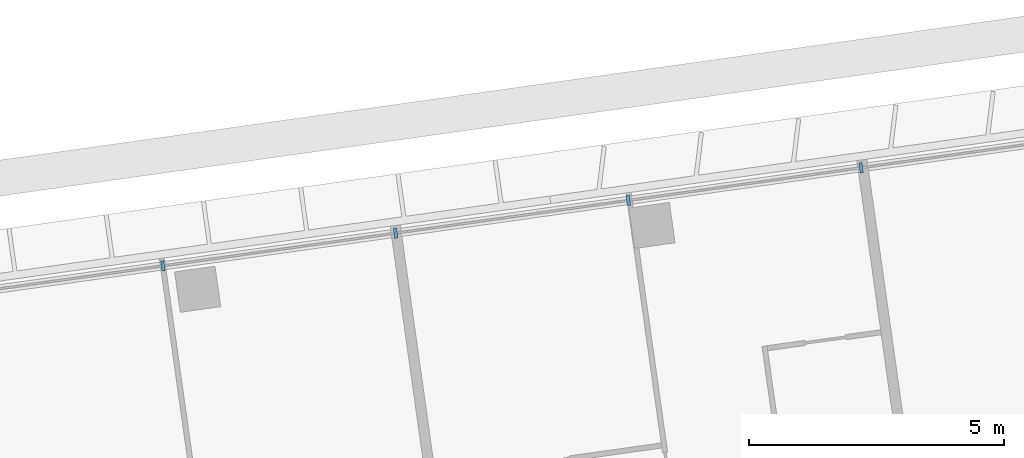
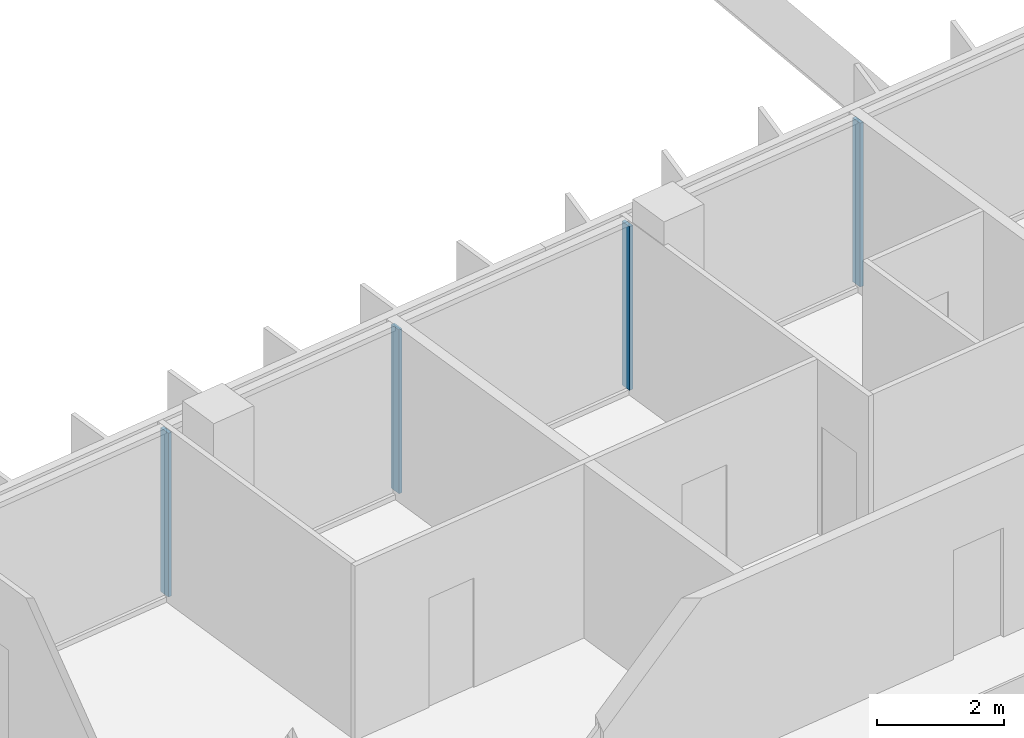
# One storey, part 20 of 38: 4 members, 1 element without a shape of its own.
"""IFC4 building model written with IfcOpenShell, lengths in metres."""

from ifc_helpers import new_model, si_unit, direction, frame, origin, origin_2d, place, context, subcontext, project, spatial, rectangle, extrude, material, material_profile, profile_set, type_object, element, aggregate, save


model = new_model("IFC4")

# Units and contexts
model_context = context("Model", 3, precision=1e-05, world=origin(), true_north=direction((0.0, 1.0)))
body_context = subcontext(model_context, "Body", "Model", "MODEL_VIEW")
ifc_project = project(units=[si_unit("LENGTHUNIT", "METRE"), si_unit("AREAUNIT", "SQUARE_METRE"), si_unit("VOLUMEUNIT", "CUBIC_METRE"), si_unit("PLANEANGLEUNIT", "RADIAN"), si_unit("MASSUNIT", "GRAM", prefix="KILO")], contexts=[model_context])

# Site, building, storey
site_placement = place(None, origin())
site = spatial("IfcSite", under=ifc_project, at=site_placement, CompositionType="ELEMENT")
building_placement = place(site_placement, origin())
building = spatial("IfcBuilding", under=site, at=building_placement, Name="Mirante Cascada Hotel Towers", CompositionType="ELEMENT")
storey_placement = place(building_placement, frame((0.0, 0.0, 184.0)))
storey = spatial("IfcBuildingStorey", under=building, at=storey_placement, Name="L43", CompositionType="ELEMENT", Elevation=184.0)

# Curtain wall, members
ifc_material_1 = material(Name="Aluminium mullion and transom frame with clear laminated glass", Category="aluminium")
curtain_wall_type = type_object("IfcCurtainWallType", Name="Ribbon curtain wall ECW1", PredefinedType="NOTDEFINED", material=ifc_material_1)
curtain_wall_placement = place(storey_placement, origin())
curtain_wall = element("IfcCurtainWall", 1, at=curtain_wall_placement, inside=storey, type_object=curtain_wall_type, Name="Front ribbon wall T2 L43", PredefinedType="NOTDEFINED")
ifc_material_2 = material(Name="Anodised aluminium extrusion", Category="aluminium")
ifc_material_profile = material_profile(ifc_material_2, rectangle(XDim=0.2, YDim=0.065, at=origin_2d()), Name="ECW1 MULLION 65x200")
ifc_profile_set = profile_set([ifc_material_profile], Name="Anodised aluminium extrusion")
member_type = type_object("IfcMemberType", Name="ECW1 mullion 65x200", PredefinedType="MULLION", material=ifc_profile_set)
member_1_placement = place(storey_placement, frame((67.2038, 22.2639, 0.1), z_axis=(0.0, 0.0, 1.0), x_axis=(0.1391731, -0.9902681, 0.0)))
member_1 = element("IfcMember", 2, at=member_1_placement, type_object=member_type, Name="ECW1 mullion 3", PredefinedType="MULLION", context=body_context, shape_type="SweptSolid", body=[
    extrude(rectangle(XDim=0.2, YDim=0.065, at=origin_2d()), origin(), (0.0, 0.0, 1.0), 3.15),
])
member_2_placement = place(storey_placement, frame((62.6391, 21.6224, 0.1), z_axis=(0.0, 0.0, 1.0), x_axis=(0.1391731, -0.9902681, 0.0)))
member_2 = element("IfcMember", 3, at=member_2_placement, type_object=member_type, Name="ECW1 mullion 4", PredefinedType="MULLION", context=body_context, shape_type="SweptSolid", body=[
    extrude(rectangle(XDim=0.2, YDim=0.065, at=origin_2d()), origin(), (0.0, 0.0, 1.0), 3.15),
])
member_3_placement = place(storey_placement, frame((58.0743, 20.9808, 0.1), z_axis=(0.0, 0.0, 1.0), x_axis=(0.1391731, -0.9902681, 0.0)))
member_3 = element("IfcMember", 4, at=member_3_placement, type_object=member_type, Name="ECW1 mullion 5", PredefinedType="MULLION", context=body_context, shape_type="SweptSolid", body=[
    extrude(rectangle(XDim=0.2, YDim=0.065, at=origin_2d()), origin(), (0.0, 0.0, 1.0), 3.15),
])
member_4_placement = place(storey_placement, frame((53.5096, 20.3393, 0.1), z_axis=(0.0, 0.0, 1.0), x_axis=(0.1391731, -0.9902681, 0.0)))
member_4 = element("IfcMember", 5, at=member_4_placement, type_object=member_type, Name="ECW1 mullion 6", PredefinedType="MULLION", context=body_context, shape_type="SweptSolid", body=[
    extrude(rectangle(XDim=0.2, YDim=0.065, at=origin_2d()), origin(), (0.0, 0.0, 1.0), 3.15),
])
aggregate(curtain_wall, [member_1, member_2, member_3, member_4])

save(model, "model.ifc")
